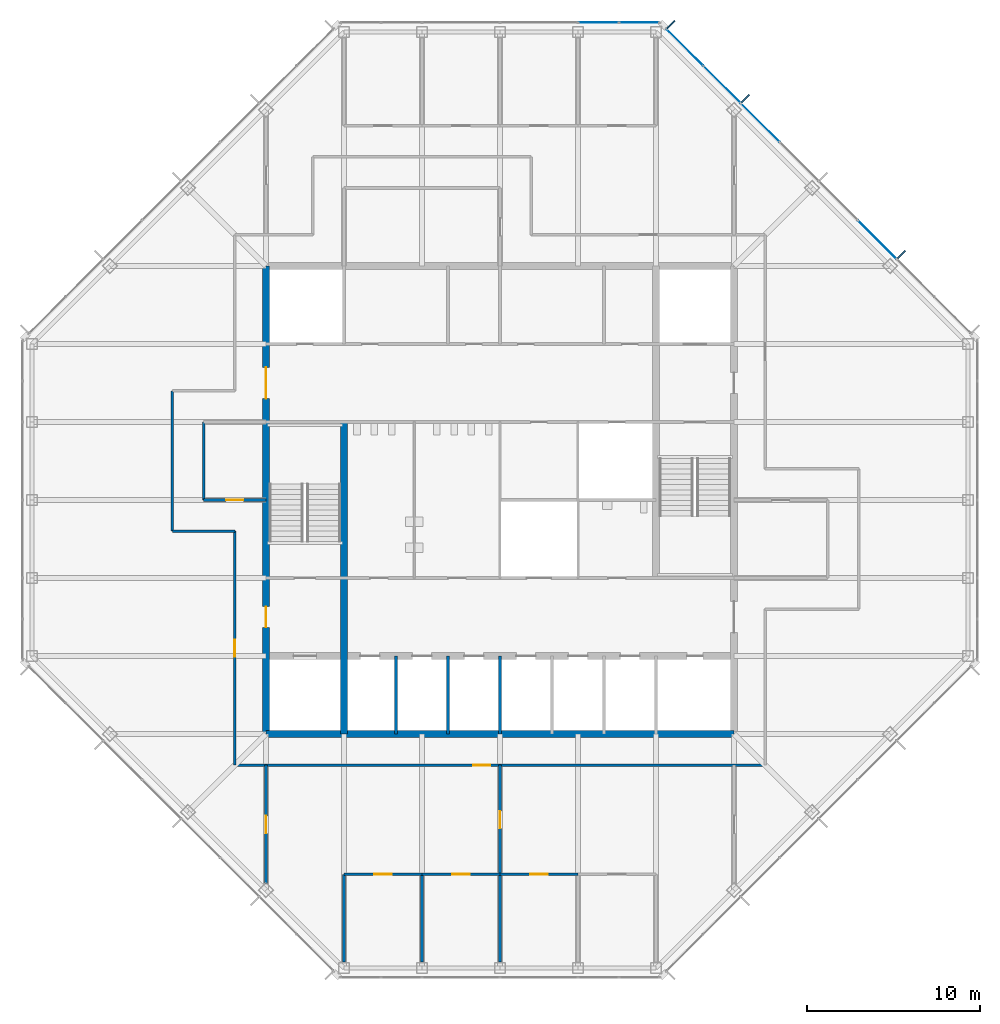
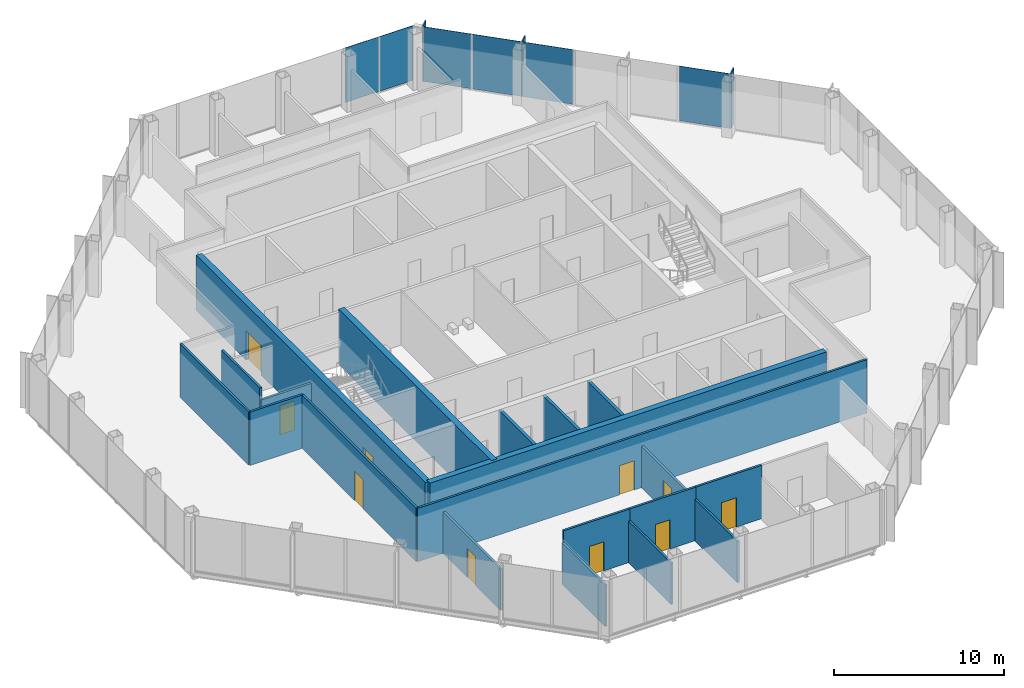
# One storey, part 9 of 14: 20 walls, 10 doors, 9 plates, 10 openings, 2 elements without a shape of their own.
"""IFC4 building model written with IfcOpenShell, lengths in metres."""

from ifc_helpers import new_model, si_unit, direction, frame, frame_2d, origin, origin_2d, place, context, subcontext, project, spatial, rectangle, extrude, material, layer, layer_set, type_object, element, fill, aggregate, save


model = new_model("IFC4")

# Units and contexts
model_context = context("Model", 3, precision=1e-05, world=origin(), true_north=direction((0.0, 1.0)))
body_context = subcontext(model_context, "Body", "Model", "MODEL_VIEW")
ifc_project = project(units=[si_unit("LENGTHUNIT", "METRE"), si_unit("AREAUNIT", "SQUARE_METRE"), si_unit("VOLUMEUNIT", "CUBIC_METRE"), si_unit("PLANEANGLEUNIT", "RADIAN"), si_unit("MASSUNIT", "GRAM", prefix="KILO")], contexts=[model_context])

# Site, building, storey
site_placement = place(None, origin())
site = spatial("IfcSite", under=ifc_project, at=site_placement, CompositionType="ELEMENT")
building_placement = place(site_placement, origin())
building = spatial("IfcBuilding", under=site, at=building_placement, Name="Corais Broadcast Tower", CompositionType="ELEMENT")
storey_placement = place(building_placement, frame((0.0, 0.0, 246.60009765625)))
storey = spatial("IfcBuildingStorey", under=building, at=storey_placement, Name="L57", CompositionType="ELEMENT", Elevation=246.60009765625)

# Curtain wall, plate
ifc_material_1 = material(Name="Aluminium and glass", Category="aluminium")
curtain_wall_type = type_object("IfcCurtainWallType", Name="Unitised fritted curtain wall CW3", PredefinedType="NOTDEFINED", material=ifc_material_1)
curtain_wall_1_placement = place(storey_placement, origin())
curtain_wall_1 = element("IfcCurtainWall", 1, at=curtain_wall_1_placement, inside=storey, type_object=curtain_wall_type, Name="CW3 curtain wall L57 4", PredefinedType="NOTDEFINED")
ifc_material_2 = material(Name="Ceramic-fritted laminated glass", Category="glass")
ifc_layer_1 = layer(ifc_material_2, 0.02587890625)
ifc_layer_set_1 = layer_set([ifc_layer_1], Name="Ceramic-fritted laminated glass")
plate_type_1 = type_object("IfcPlateType", Name="Fritted glass panel CW3", PredefinedType="CURTAIN_PANEL", material=ifc_layer_set_1)
plate_1_placement = place(storey_placement, frame((32.681884765625, 54.550048828125, 0.06494140625), z_axis=(0.0, 0.0, 1.0), x_axis=(1.0, 0.0, 0.0)))
plate_1 = element("IfcPlate", 2, at=plate_1_placement, type_object=plate_type_1, Name="CW3 panel 5", PredefinedType="CURTAIN_PANEL", context=body_context, shape_type="SweptSolid", body=[
    extrude(rectangle(XDim=2.298828125, YDim=0.02587890625, at=origin_2d()), origin(), (0.0, 0.0, 1.0), 3.93505859375),
])

# Curtain wall, plates
curtain_wall_2_placement = place(storey_placement, origin())
curtain_wall_2 = element("IfcCurtainWall", 3, at=curtain_wall_2_placement, inside=storey, type_object=curtain_wall_type, Name="CW3 curtain wall L57 5", PredefinedType="NOTDEFINED")
plate_2_placement = place(storey_placement, frame((37.669677734375, 53.108154296875, 0.06494140625), z_axis=(0.0, 0.0, 1.0), x_axis=(0.707106781187, -0.707106781187, 0.0)))
plate_2 = element("IfcPlate", 4, at=plate_2_placement, type_object=plate_type_1, Name="CW3 panel 1", PredefinedType="CURTAIN_PANEL", context=body_context, shape_type="SweptSolid", body=[
    extrude(rectangle(XDim=2.9482421875, YDim=0.02587890625, at=origin_2d()), origin(), (0.0, 0.0, 1.0), 3.93505859375),
])
plate_3_placement = place(storey_placement, frame((42.013916015625, 48.763916015625, 0.06494140625), z_axis=(0.0, 0.0, 1.0), x_axis=(0.707106781187, -0.707106781187, 0.0)))
plate_3 = element("IfcPlate", 5, at=plate_3_placement, type_object=plate_type_1, Name="CW3 panel 3", PredefinedType="CURTAIN_PANEL", context=body_context, shape_type="SweptSolid", body=[
    extrude(rectangle(XDim=3.116943359375, YDim=0.02587890625, at=origin_2d()), origin(), (0.0, 0.0, 1.0), 3.93505859375),
])

# Plate
ifc_material_3 = material(Name="Clear laminated glass", Category="glass")
ifc_layer_2 = layer(ifc_material_3, 0.030029296875)
ifc_layer_set_2 = layer_set([ifc_layer_2], Name="Clear laminated glass")
plate_type_2 = type_object("IfcPlateType", Name="Operable glass panel CW3", PredefinedType="CURTAIN_PANEL", material=ifc_layer_set_2)
plate_4_placement = place(storey_placement, frame((35.029541015625, 54.550048828125, 0.06494140625), z_axis=(0.0, 0.0, 1.0), x_axis=(1.0, 0.0, 0.0)))
plate_4 = element("IfcPlate", 6, at=plate_4_placement, type_object=plate_type_2, Name="CW3 operable panel 6", PredefinedType="CURTAIN_PANEL", context=body_context, shape_type="SweptSolid", body=[
    extrude(rectangle(XDim=2.266357421875, YDim=0.030029296875, at=origin_2d()), origin(), (0.0, 0.0, 1.0), 3.93505859375),
])

aggregate(curtain_wall_1, [plate_1, plate_4])

plate_5_placement = place(storey_placement, frame((39.81201171875, 50.9658203125, 0.06494140625), z_axis=(0.0, 0.0, 1.0), x_axis=(0.707106781187, -0.707106781187, 0.0)))
plate_5 = element("IfcPlate", 7, at=plate_5_placement, type_object=plate_type_2, Name="CW3 operable panel 2", PredefinedType="CURTAIN_PANEL", context=body_context, shape_type="SweptSolid", body=[
    extrude(rectangle(XDim=2.98095703125, YDim=0.030029296875, at=origin_2d()), origin(), (0.0, 0.0, 1.0), 3.93505859375),
])

plate_6_placement = place(storey_placement, frame((48.763916015625, 42.013916015625, 0.06494140625), z_axis=(0.0, 0.0, 1.0), x_axis=(0.707106781187, -0.707106781187, 0.0)))
plate_6 = element("IfcPlate", 8, at=plate_6_placement, type_object=plate_type_2, Name="CW3 operable panel 6", PredefinedType="CURTAIN_PANEL", context=body_context, shape_type="SweptSolid", body=[
    extrude(rectangle(XDim=3.116943359375, YDim=0.030029296875, at=origin_2d()), origin(), (0.0, 0.0, 1.0), 3.93505859375),
])

aggregate(curtain_wall_2, [plate_2, plate_5, plate_3, plate_6])

# Plates
ifc_material_4 = material(Name="Granite stone cladding", Category="masonry")
ifc_layer_3 = layer(ifc_material_4, 0.080078125)
ifc_layer_set_3 = layer_set([ifc_layer_3], Name="Granite stone cladding")
plate_type_3 = type_object("IfcPlateType", Name="Stone screen fin 80x600", PredefinedType="USERDEFINED", material=ifc_layer_set_3)
for number, where, z_axis, x_axis, name in (
    (9, (36.870849609375, 54.43994140625, 0.0), (0.0, 0.0, 1.0), (0.707106781187, -0.707106781187, 0.0), "SF1 stone screen fin L57"),
    (10, (41.155517578125, 50.155517578125, 0.0), (0.0, 0.0, 1.0), (0.707106781187, -0.707106781187, 0.0), "SF1 stone screen fin L57"),
    (11, (50.155517578125, 41.155517578125, 0.0), (0.0, 0.0, 1.0), (0.707106781187, -0.707106781187, 0.0), "SF1 stone screen fin L57"),
):
    element("IfcPlate", number, at=place(storey_placement, frame(where, z_axis=z_axis, x_axis=x_axis)), inside=storey, type_object=plate_type_3, Name=name, ObjectType="STONE SCREEN FIN", PredefinedType="USERDEFINED", context=body_context, shape_type="SweptSolid", body=[
        extrude(rectangle(XDim=0.080078125, YDim=0.60009765625, at=origin_2d()), origin(), (0.0, 0.0, 1.0), 4.0),
    ])

# Wall
ifc_material_5 = material(Name="Concrete C50/60", Category="concrete")
ifc_layer_4 = layer(ifc_material_5, 0.39990234375)
ifc_layer_set_4 = layer_set([ifc_layer_4], Name="Concrete C50/60")
wall_type_1 = type_object("IfcWallType", Name="Core wall 400", PredefinedType="SHEAR", material=ifc_layer_set_4)
wall_1_placement = place(storey_placement, frame((13.5, 13.5, 0.0), z_axis=(0.0, 0.0, 1.0), x_axis=(1.0, 0.0, 0.0)))
element("IfcWall", 12, at=wall_1_placement, inside=storey, type_object=wall_type_1, Name="CR400 core wall S L57", PredefinedType="SHEAR", context=body_context, shape_type="SweptSolid", body=[
    extrude(rectangle(XDim=27.0, YDim=0.39990234375, at=frame_2d((13.5, 0.0))), origin(), (0.0, 0.0, 1.0), 4.0),
])

# Wall, openings, doors
wall_2_placement = place(storey_placement, frame((13.5, 40.5, 0.0), z_axis=(0.0, 0.0, 1.0), x_axis=(0.0, -1.0, 0.0)))
wall_2 = element("IfcWall", 13, at=wall_2_placement, inside=storey, type_object=wall_type_1, Name="CR400 core wall W L57", PredefinedType="SHEAR", context=body_context, shape_type="SweptSolid", body=[
    extrude(rectangle(XDim=27.0, YDim=0.39990234375, at=frame_2d((13.5, 0.0))), origin(), (0.0, 0.0, 1.0), 4.0),
])
opening_1_placement = place(wall_2_placement, frame((19.64990234375, 0.0, 0.0)))
opening_1 = element("IfcOpeningElement", 14, at=opening_1_placement, cuts=wall_2, Name="Opening FD1", PredefinedType="OPENING", context=body_context, shape_type="SweptSolid", body=[
    extrude(rectangle(XDim=1.199951171875, YDim=2.10009765625, at=frame_2d((0.60009765625, 1.050048828125))), frame((0.0, 0.2099609375, 0.0), z_axis=(0.0, -1.0, 0.0), x_axis=(1.0, 0.0, 0.0)), (0.0, 0.0, 1.0), 0.419921875),
])
opening_2_placement = place(wall_2_placement, frame((5.85009765625, 0.0, 0.0)))
opening_2 = element("IfcOpeningElement", 15, at=opening_2_placement, cuts=wall_2, Name="Opening FD2", PredefinedType="OPENING", context=body_context, shape_type="SweptSolid", body=[
    extrude(rectangle(XDim=1.800048828125, YDim=2.10009765625, at=frame_2d((0.89990234375, 1.050048828125))), frame((0.0, 0.2099609375, 0.0), z_axis=(0.0, -1.0, 0.0), x_axis=(1.0, 0.0, 0.0)), (0.0, 0.0, 1.0), 0.419921875),
])
ifc_material_6 = material(Name="Steel fire door", Category="steel")
door_type_1 = type_object("IfcDoorType", Name="Fire door 1200x2100", OperationType="SINGLE_SWING_LEFT", PredefinedType="DOOR", material=ifc_material_6)
door_1_placement = place(opening_1_placement, origin())
door_1 = element("IfcDoor", 16, at=door_1_placement, inside=storey, type_object=door_type_1, Name="FD1 fire lobby A door L57", OperationType="SINGLE_SWING_RIGHT", OverallHeight=2.10009765625, OverallWidth=1.199951171875, PredefinedType="DOOR", context=body_context, shape_type="SweptSolid", body=[
    extrude(rectangle(XDim=1.199951171875, YDim=2.10009765625, at=frame_2d((0.60009765625, 1.050048828125))), frame((0.0, 0.02490234375, 0.0), z_axis=(0.0, -1.0, 0.0), x_axis=(1.0, 0.0, 0.0)), (0.0, 0.0, 1.0), 0.050048828125),
])
fill(opening_1, door_1)
ifc_material_7 = material(Name="Steel fire door", Category="steel")
door_type_2 = type_object("IfcDoorType", Name="Fire door pair 1800x2100", OperationType="DOUBLE_DOOR_SINGLE_SWING", PredefinedType="DOOR", material=ifc_material_7)
door_2_placement = place(opening_2_placement, origin())
door_2 = element("IfcDoor", 17, at=door_2_placement, inside=storey, type_object=door_type_2, Name="FD2 lift lobby door L57", OperationType="SINGLE_SWING_LEFT", OverallHeight=2.10009765625, OverallWidth=1.800048828125, PredefinedType="DOOR", context=body_context, shape_type="SweptSolid", body=[
    extrude(rectangle(XDim=1.800048828125, YDim=2.10009765625, at=frame_2d((0.89990234375, 1.050048828125))), frame((0.0, 0.02490234375, 0.0), z_axis=(0.0, -1.0, 0.0), x_axis=(1.0, 0.0, 0.0)), (0.0, 0.0, 1.0), 0.050048828125),
])
fill(opening_2, door_2)

# Wall
wall_3_placement = place(storey_placement, frame((18.0, 13.5, 0.0), z_axis=(0.0, 0.0, 1.0), x_axis=(0.0, 1.0, 0.0)))
element("IfcWall", 18, at=wall_3_placement, inside=storey, type_object=wall_type_1, Name="CR400 core wall X18A L57", PredefinedType="SHEAR", context=body_context, shape_type="SweptSolid", body=[
    extrude(rectangle(XDim=18.0, YDim=0.39990234375, at=frame_2d((9.0, 0.0))), origin(), (0.0, 0.0, 1.0), 4.0),
])

# Wall, opening, door
ifc_material_8 = material(Name="Gypsum board on steel studs", Category="steel")
ifc_layer_5 = layer(ifc_material_8, 0.14990234375)
ifc_layer_set_5 = layer_set([ifc_layer_5], Name="Gypsum board on steel studs")
wall_type_2 = type_object("IfcWallType", Name="Partition 150", PredefinedType="PARTITIONING", material=ifc_layer_set_5)
wall_4_placement = place(storey_placement, frame((11.699951171875, 11.699951171875, 0.0), z_axis=(0.0, 0.0, 1.0), x_axis=(1.0, 0.0, 0.0)))
wall_4 = element("IfcWall", 19, at=wall_4_placement, inside=storey, type_object=wall_type_2, Name="IW3 corridor wall L57", PredefinedType="PARTITIONING", context=body_context, shape_type="SweptSolid", body=[
    extrude(rectangle(XDim=30.60009765625, YDim=0.14990234375, at=frame_2d((15.300048828125, 0.0))), origin(), (0.0, 0.0, 1.0), 3.83984375),
])
opening_3_placement = place(wall_4_placement, frame((13.75, 0.0, 0.0)))
opening_3 = element("IfcOpeningElement", 20, at=opening_3_placement, cuts=wall_4, Name="Opening D1", PredefinedType="OPENING", context=body_context, shape_type="SweptSolid", body=[
    extrude(rectangle(XDim=1.0, YDim=2.10009765625, at=frame_2d((0.5, 1.050048828125))), frame((0.0, 0.0849609375, 0.0), z_axis=(0.0, -1.0, 0.0), x_axis=(1.0, 0.0, 0.0)), (0.0, 0.0, 1.0), 0.169921875),
])
ifc_material_9 = material(Name="Timber door", Category="wood")
door_type_3 = type_object("IfcDoorType", Name="Single door 1000x2100", OperationType="SINGLE_SWING_LEFT", PredefinedType="DOOR", material=ifc_material_9)
door_3_placement = place(opening_3_placement, origin())
door_3 = element("IfcDoor", 21, at=door_3_placement, inside=storey, type_object=door_type_3, Name="D1 workplace door L57", OperationType="SINGLE_SWING_LEFT", OverallHeight=2.10009765625, OverallWidth=1.0, PredefinedType="DOOR", context=body_context, shape_type="SweptSolid", body=[
    extrude(rectangle(XDim=1.0, YDim=2.10009765625, at=frame_2d((0.5, 1.050048828125))), frame((0.0, 0.02490234375, 0.0), z_axis=(0.0, -1.0, 0.0), x_axis=(1.0, 0.0, 0.0)), (0.0, 0.0, 1.0), 0.050048828125),
])
fill(opening_3, door_3)

wall_5_placement = place(storey_placement, frame((11.699951171875, 25.199951171875, 0.0), z_axis=(0.0, 0.0, 1.0), x_axis=(0.0, -1.0, 0.0)))
wall_5 = element("IfcWall", 22, at=wall_5_placement, inside=storey, type_object=wall_type_2, Name="IW3 corridor wall L57", PredefinedType="PARTITIONING", context=body_context, shape_type="SweptSolid", body=[
    extrude(rectangle(XDim=13.5, YDim=0.14990234375, at=frame_2d((6.75, 0.0))), origin(), (0.0, 0.0, 1.0), 3.83984375),
])
opening_4_placement = place(wall_5_placement, frame((6.25, 0.0, 0.0)))
opening_4 = element("IfcOpeningElement", 23, at=opening_4_placement, cuts=wall_5, Name="Opening D1", PredefinedType="OPENING", context=body_context, shape_type="SweptSolid", body=[
    extrude(rectangle(XDim=1.0, YDim=2.10009765625, at=frame_2d((0.5, 1.050048828125))), frame((0.0, 0.0849609375, 0.0), z_axis=(0.0, -1.0, 0.0), x_axis=(1.0, 0.0, 0.0)), (0.0, 0.0, 1.0), 0.169921875),
])
door_4_placement = place(opening_4_placement, origin())
door_4 = element("IfcDoor", 24, at=door_4_placement, inside=storey, type_object=door_type_3, Name="D1 workplace door L57", OperationType="SINGLE_SWING_LEFT", OverallHeight=2.10009765625, OverallWidth=1.0, PredefinedType="DOOR", context=body_context, shape_type="SweptSolid", body=[
    extrude(rectangle(XDim=1.0, YDim=2.10009765625, at=frame_2d((0.5, 1.050048828125))), frame((0.0, 0.02490234375, 0.0), z_axis=(0.0, -1.0, 0.0), x_axis=(1.0, 0.0, 0.0)), (0.0, 0.0, 1.0), 0.050048828125),
])
fill(opening_4, door_4)

# Walls
wall_6_placement = place(storey_placement, frame((8.10009765625, 33.300048828125, 0.0), z_axis=(0.0, 0.0, 1.0), x_axis=(0.0, -1.0, 0.0)))
element("IfcWall", 25, at=wall_6_placement, inside=storey, type_object=wall_type_2, Name="IW3 corridor wall L57", PredefinedType="PARTITIONING", context=body_context, shape_type="SweptSolid", body=[
    extrude(rectangle(XDim=8.10009765625, YDim=0.14990234375, at=frame_2d((4.050048828125, 0.0))), origin(), (0.0, 0.0, 1.0), 3.83984375),
])
wall_7_placement = place(storey_placement, frame((8.10009765625, 25.199951171875, 0.0), z_axis=(0.0, 0.0, 1.0), x_axis=(1.0, 0.0, 0.0)))
element("IfcWall", 26, at=wall_7_placement, inside=storey, type_object=wall_type_2, Name="IW3 corridor wall L57", PredefinedType="PARTITIONING", context=body_context, shape_type="SweptSolid", body=[
    extrude(rectangle(XDim=3.599853515625, YDim=0.14990234375, at=frame_2d((1.7998046875, 0.0))), origin(), (0.0, 0.0, 1.0), 3.83984375),
])
wall_8_placement = place(storey_placement, frame((22.5, 0.3349609375, 0.0), z_axis=(0.0, 0.0, 1.0), x_axis=(0.0, 1.0, 0.0)))
element("IfcWall", 27, at=wall_8_placement, inside=storey, type_object=wall_type_2, Name="IW3 partition L57", PredefinedType="PARTITIONING", context=body_context, shape_type="SweptSolid", body=[
    extrude(rectangle(XDim=5.06494140625, YDim=0.14990234375, at=frame_2d((2.532470703125, 0.0))), origin(), (0.0, 0.0, 1.0), 2.989013671875),
])

# Wall, opening, door
wall_9_placement = place(storey_placement, frame((22.5, 5.39990234375, 0.0), z_axis=(0.0, 0.0, 1.0), x_axis=(-1.0, 0.0, 0.0)))
wall_9 = element("IfcWall", 28, at=wall_9_placement, inside=storey, type_object=wall_type_2, Name="IW3 partition L57", PredefinedType="PARTITIONING", context=body_context, shape_type="SweptSolid", body=[
    extrude(rectangle(XDim=4.5, YDim=0.14990234375, at=frame_2d((2.25, 0.0))), origin(), (0.0, 0.0, 1.0), 3.83984375),
])
opening_5_placement = place(wall_9_placement, frame((1.75, 0.0, 0.0)))
opening_5 = element("IfcOpeningElement", 29, at=opening_5_placement, cuts=wall_9, Name="Opening D1", PredefinedType="OPENING", context=body_context, shape_type="SweptSolid", body=[
    extrude(rectangle(XDim=1.0, YDim=2.10009765625, at=frame_2d((0.5, 1.050048828125))), frame((0.0, 0.0849609375, 0.0), z_axis=(0.0, -1.0, 0.0), x_axis=(1.0, 0.0, 0.0)), (0.0, 0.0, 1.0), 0.169921875),
])
door_5_placement = place(opening_5_placement, origin())
door_5 = element("IfcDoor", 30, at=door_5_placement, inside=storey, type_object=door_type_3, Name="D1 Office door", OperationType="SINGLE_SWING_LEFT", OverallHeight=2.10009765625, OverallWidth=1.0, PredefinedType="DOOR", context=body_context, shape_type="SweptSolid", body=[
    extrude(rectangle(XDim=1.0, YDim=2.10009765625, at=frame_2d((0.5, 1.050048828125))), frame((0.0, 0.02490234375, 0.0), z_axis=(0.0, -1.0, 0.0), x_axis=(1.0, 0.0, 0.0)), (0.0, 0.0, 1.0), 0.050048828125),
])
fill(opening_5, door_5)

# Walls
for number, where, z_axis, x_axis, name in (
    (31, (18.0, 5.39990234375, 0.0), (0.0, 0.0, 1.0), (0.0, -1.0, 0.0), "IW3 partition L57"),
    (32, (27.0, 0.3349609375, 0.0), (0.0, 0.0, 1.0), (0.0, 1.0, 0.0), "IW3 partition L57"),
):
    element("IfcWall", number, at=place(storey_placement, frame(where, z_axis=z_axis, x_axis=x_axis)), inside=storey, type_object=wall_type_2, Name=name, PredefinedType="PARTITIONING", context=body_context, shape_type="SweptSolid", body=[
        extrude(rectangle(XDim=5.06494140625, YDim=0.14990234375, at=frame_2d((2.532470703125, 0.0))), origin(), (0.0, 0.0, 1.0), 2.989013671875),
    ])

# Wall, opening, door
wall_10_placement = place(storey_placement, frame((27.0, 5.39990234375, 0.0), z_axis=(0.0, 0.0, 1.0), x_axis=(-1.0, 0.0, 0.0)))
wall_10 = element("IfcWall", 33, at=wall_10_placement, inside=storey, type_object=wall_type_2, Name="IW3 partition L57", PredefinedType="PARTITIONING", context=body_context, shape_type="SweptSolid", body=[
    extrude(rectangle(XDim=4.5, YDim=0.14990234375, at=frame_2d((2.25, 0.0))), origin(), (0.0, 0.0, 1.0), 3.83984375),
])
opening_6_placement = place(wall_10_placement, frame((1.75, 0.0, 0.0)))
opening_6 = element("IfcOpeningElement", 34, at=opening_6_placement, cuts=wall_10, Name="Opening D1", PredefinedType="OPENING", context=body_context, shape_type="SweptSolid", body=[
    extrude(rectangle(XDim=1.0, YDim=2.10009765625, at=frame_2d((0.5, 1.050048828125))), frame((0.0, 0.0849609375, 0.0), z_axis=(0.0, -1.0, 0.0), x_axis=(1.0, 0.0, 0.0)), (0.0, 0.0, 1.0), 0.169921875),
])
door_6_placement = place(opening_6_placement, origin())
door_6 = element("IfcDoor", 35, at=door_6_placement, inside=storey, type_object=door_type_3, Name="D1 Office door", OperationType="SINGLE_SWING_LEFT", OverallHeight=2.10009765625, OverallWidth=1.0, PredefinedType="DOOR", context=body_context, shape_type="SweptSolid", body=[
    extrude(rectangle(XDim=1.0, YDim=2.10009765625, at=frame_2d((0.5, 1.050048828125))), frame((0.0, 0.02490234375, 0.0), z_axis=(0.0, -1.0, 0.0), x_axis=(1.0, 0.0, 0.0)), (0.0, 0.0, 1.0), 0.050048828125),
])
fill(opening_6, door_6)

wall_11_placement = place(storey_placement, frame((31.5, 5.39990234375, 0.0), z_axis=(0.0, 0.0, 1.0), x_axis=(-1.0, 0.0, 0.0)))
wall_11 = element("IfcWall", 36, at=wall_11_placement, inside=storey, type_object=wall_type_2, Name="IW3 partition L57", PredefinedType="PARTITIONING", context=body_context, shape_type="SweptSolid", body=[
    extrude(rectangle(XDim=4.5, YDim=0.14990234375, at=frame_2d((2.25, 0.0))), origin(), (0.0, 0.0, 1.0), 3.83984375),
])
opening_7_placement = place(wall_11_placement, frame((1.75, 0.0, 0.0)))
opening_7 = element("IfcOpeningElement", 37, at=opening_7_placement, cuts=wall_11, Name="Opening D1", PredefinedType="OPENING", context=body_context, shape_type="SweptSolid", body=[
    extrude(rectangle(XDim=1.0, YDim=2.10009765625, at=frame_2d((0.5, 1.050048828125))), frame((0.0, 0.0849609375, 0.0), z_axis=(0.0, -1.0, 0.0), x_axis=(1.0, 0.0, 0.0)), (0.0, 0.0, 1.0), 0.169921875),
])
door_7_placement = place(opening_7_placement, origin())
door_7 = element("IfcDoor", 38, at=door_7_placement, inside=storey, type_object=door_type_3, Name="D1 Office door", OperationType="SINGLE_SWING_LEFT", OverallHeight=2.10009765625, OverallWidth=1.0, PredefinedType="DOOR", context=body_context, shape_type="SweptSolid", body=[
    extrude(rectangle(XDim=1.0, YDim=2.10009765625, at=frame_2d((0.5, 1.050048828125))), frame((0.0, 0.02490234375, 0.0), z_axis=(0.0, -1.0, 0.0), x_axis=(1.0, 0.0, 0.0)), (0.0, 0.0, 1.0), 0.050048828125),
])
fill(opening_7, door_7)

wall_12_placement = place(storey_placement, frame((9.89990234375, 27.0, 0.0), z_axis=(0.0, 0.0, 1.0), x_axis=(1.0, 0.0, 0.0)))
wall_12 = element("IfcWall", 39, at=wall_12_placement, inside=storey, type_object=wall_type_2, Name="IW3 partition L57", PredefinedType="PARTITIONING", context=body_context, shape_type="SweptSolid", body=[
    extrude(rectangle(XDim=3.60009765625, YDim=0.14990234375, at=frame_2d((1.800048828125, 0.0))), origin(), (0.0, 0.0, 1.0), 2.989013671875),
])
opening_8_placement = place(wall_12_placement, frame((1.300048828125, 0.0, 0.0)))
opening_8 = element("IfcOpeningElement", 40, at=opening_8_placement, cuts=wall_12, Name="Opening D1", PredefinedType="OPENING", context=body_context, shape_type="SweptSolid", body=[
    extrude(rectangle(XDim=1.0, YDim=2.10009765625, at=frame_2d((0.5, 1.050048828125))), frame((0.0, 0.0849609375, 0.0), z_axis=(0.0, -1.0, 0.0), x_axis=(1.0, 0.0, 0.0)), (0.0, 0.0, 1.0), 0.169921875),
])
door_8_placement = place(opening_8_placement, origin())
door_8 = element("IfcDoor", 41, at=door_8_placement, inside=storey, type_object=door_type_3, Name="D1 Pantry door", OperationType="SINGLE_SWING_LEFT", OverallHeight=2.10009765625, OverallWidth=1.0, PredefinedType="DOOR", context=body_context, shape_type="SweptSolid", body=[
    extrude(rectangle(XDim=1.0, YDim=2.10009765625, at=frame_2d((0.5, 1.050048828125))), frame((0.0, 0.02490234375, 0.0), z_axis=(0.0, -1.0, 0.0), x_axis=(1.0, 0.0, 0.0)), (0.0, 0.0, 1.0), 0.050048828125),
])
fill(opening_8, door_8)

# Wall
wall_13_placement = place(storey_placement, frame((9.89990234375, 31.5, 0.0), z_axis=(0.0, 0.0, 1.0), x_axis=(0.0, -1.0, 0.0)))
element("IfcWall", 42, at=wall_13_placement, inside=storey, type_object=wall_type_2, Name="IW3 partition L57", PredefinedType="PARTITIONING", context=body_context, shape_type="SweptSolid", body=[
    extrude(rectangle(XDim=4.5, YDim=0.14990234375, at=frame_2d((2.25, 0.0))), origin(), (0.0, 0.0, 1.0), 3.83984375),
])

# Wall, opening, door
wall_14_placement = place(storey_placement, frame((13.5, 4.844970703125, 0.0), z_axis=(0.0, 0.0, 1.0), x_axis=(0.0, 1.0, 0.0)))
wall_14 = element("IfcWall", 43, at=wall_14_placement, inside=storey, type_object=wall_type_2, Name="IW3 partition L57", PredefinedType="PARTITIONING", context=body_context, shape_type="SweptSolid", body=[
    extrude(rectangle(XDim=6.85498046875, YDim=0.14990234375, at=frame_2d((3.427490234375, 0.0))), origin(), (0.0, 0.0, 1.0), 2.989013671875),
])
opening_9_placement = place(wall_14_placement, frame((2.927490234375, 0.0, 0.0)))
opening_9 = element("IfcOpeningElement", 44, at=opening_9_placement, cuts=wall_14, Name="Opening D1", PredefinedType="OPENING", context=body_context, shape_type="SweptSolid", body=[
    extrude(rectangle(XDim=1.0, YDim=2.10009765625, at=frame_2d((0.5, 1.050048828125))), frame((0.0, 0.0849609375, 0.0), z_axis=(0.0, -1.0, 0.0), x_axis=(1.0, 0.0, 0.0)), (0.0, 0.0, 1.0), 0.169921875),
])
door_9_placement = place(opening_9_placement, origin())
door_9 = element("IfcDoor", 45, at=door_9_placement, inside=storey, type_object=door_type_3, Name="D1 team room door L57", OperationType="SINGLE_SWING_LEFT", OverallHeight=2.10009765625, OverallWidth=1.0, PredefinedType="DOOR", context=body_context, shape_type="SweptSolid", body=[
    extrude(rectangle(XDim=1.0, YDim=2.10009765625, at=frame_2d((0.5, 1.050048828125))), frame((0.0, 0.02490234375, 0.0), z_axis=(0.0, -1.0, 0.0), x_axis=(1.0, 0.0, 0.0)), (0.0, 0.0, 1.0), 0.050048828125),
])
fill(opening_9, door_9)

wall_15_placement = place(storey_placement, frame((27.0, 11.699951171875, 0.0), z_axis=(0.0, 0.0, 1.0), x_axis=(0.0, -1.0, 0.0)))
wall_15 = element("IfcWall", 46, at=wall_15_placement, inside=storey, type_object=wall_type_2, Name="IW3 partition L57", PredefinedType="PARTITIONING", context=body_context, shape_type="SweptSolid", body=[
    extrude(rectangle(XDim=6.300048828125, YDim=0.14990234375, at=frame_2d((3.14990234375, 0.0))), origin(), (0.0, 0.0, 1.0), 2.989013671875),
])
opening_10_placement = place(wall_15_placement, frame((2.64990234375, 0.0, 0.0)))
opening_10 = element("IfcOpeningElement", 47, at=opening_10_placement, cuts=wall_15, Name="Opening D1", PredefinedType="OPENING", context=body_context, shape_type="SweptSolid", body=[
    extrude(rectangle(XDim=1.0, YDim=2.10009765625, at=frame_2d((0.5, 1.050048828125))), frame((0.0, 0.0849609375, 0.0), z_axis=(0.0, -1.0, 0.0), x_axis=(1.0, 0.0, 0.0)), (0.0, 0.0, 1.0), 0.169921875),
])
door_10_placement = place(opening_10_placement, origin())
door_10 = element("IfcDoor", 48, at=door_10_placement, inside=storey, type_object=door_type_3, Name="D1 team room door L57", OperationType="SINGLE_SWING_LEFT", OverallHeight=2.10009765625, OverallWidth=1.0, PredefinedType="DOOR", context=body_context, shape_type="SweptSolid", body=[
    extrude(rectangle(XDim=1.0, YDim=2.10009765625, at=frame_2d((0.5, 1.050048828125))), frame((0.0, 0.02490234375, 0.0), z_axis=(0.0, -1.0, 0.0), x_axis=(1.0, 0.0, 0.0)), (0.0, 0.0, 1.0), 0.050048828125),
])
fill(opening_10, door_10)

# Walls
ifc_material_10 = material(Name="Concrete blockwork class A, grouted, two-hour", Category="masonry")
ifc_layer_6 = layer(ifc_material_10, 0.199951171875)
ifc_layer_set_6 = layer_set([ifc_layer_6], Name="Concrete blockwork class A, grouted, two-hour")
wall_type_3 = type_object("IfcWallType", Name="Shaft wall 200", PredefinedType="PARTITIONING", material=ifc_layer_set_6)
for number, where, z_axis, x_axis, name in (
    (49, (21.0, 13.5, 0.0), (0.0, 0.0, 1.0), (0.0, 1.0, 0.0), "IW1 shaft wall L57"),
    (50, (24.0, 13.5, 0.0), (0.0, 0.0, 1.0), (0.0, 1.0, 0.0), "IW1 shaft wall L57"),
    (51, (27.0, 13.5, 0.0), (0.0, 0.0, 1.0), (0.0, 1.0, 0.0), "IW1 shaft wall L57"),
):
    element("IfcWall", number, at=place(storey_placement, frame(where, z_axis=z_axis, x_axis=x_axis)), inside=storey, type_object=wall_type_3, Name=name, PredefinedType="PARTITIONING", context=body_context, shape_type="SweptSolid", body=[
        extrude(rectangle(XDim=4.5, YDim=0.199951171875, at=frame_2d((2.25, 0.0))), origin(), (0.0, 0.0, 1.0), 3.83984375),
    ])

save(model, "model.ifc")
